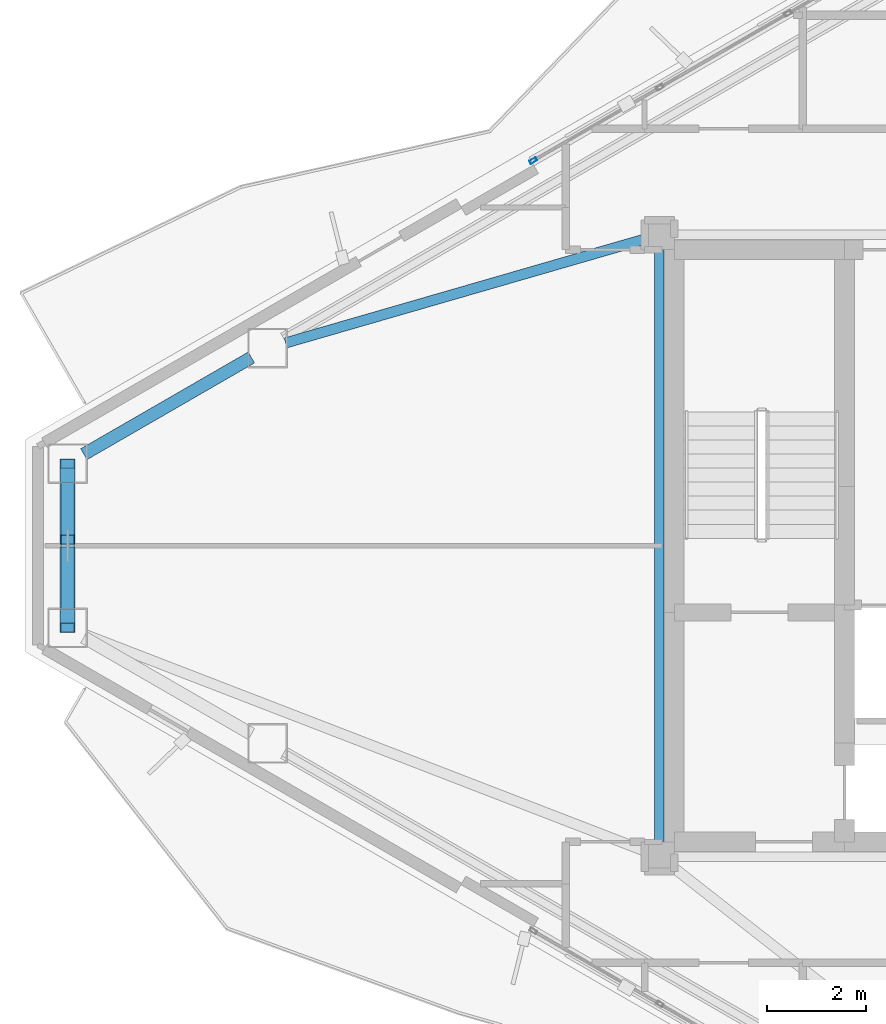
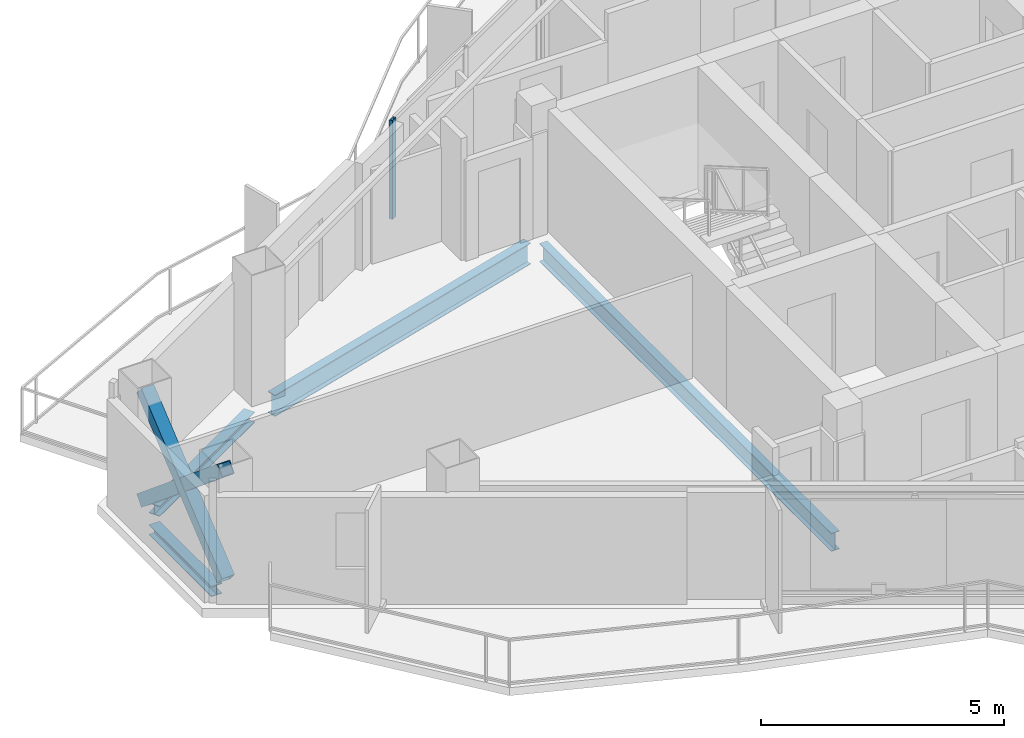
# One storey, part 7 of 22: 4 beams, 4 members, 1 element without a shape of its own.
"""IFC4 building model written with IfcOpenShell, lengths in metres."""

from ifc_helpers import new_model, si_unit, direction, frame, origin, origin_2d, place, context, subcontext, project, spatial, hollow_rectangle, i_section, extrude, material, layer, layer_set, material_profile, profile_set, type_object, element, aggregate, save


model = new_model("IFC4")

# Units and contexts
model_context = context("Model", 3, precision=1e-05, world=origin(), true_north=direction((0.0, 1.0)))
body_context = subcontext(model_context, "Body", "Model", "MODEL_VIEW")
ifc_project = project(units=[si_unit("LENGTHUNIT", "METRE"), si_unit("AREAUNIT", "SQUARE_METRE"), si_unit("VOLUMEUNIT", "CUBIC_METRE"), si_unit("PLANEANGLEUNIT", "RADIAN"), si_unit("MASSUNIT", "GRAM", prefix="KILO")], contexts=[model_context])

# Site, building, storey
site_placement = place(None, origin())
site = spatial("IfcSite", under=ifc_project, at=site_placement, CompositionType="ELEMENT")
building_placement = place(site_placement, origin())
building = spatial("IfcBuilding", under=site, at=building_placement, Name="Mersakhor Tower and Convention Hall", CompositionType="ELEMENT")
storey_placement = place(building_placement, frame((0.0, 0.0, 205.199951171875)))
storey = spatial("IfcBuildingStorey", under=building, at=storey_placement, Name="L57", CompositionType="ELEMENT", Elevation=205.199951171875)

# Beams
ifc_material_1 = material(Name="Steel S355", Category="steel")
ifc_material_profile_1 = material_profile(ifc_material_1, i_section(OverallWidth=0.19140625, OverallDepth=0.4599609375, WebThickness=0.010009765625, FlangeThickness=0.01611328125, at=origin_2d()), Name="UB 457x191x82")
ifc_profile_set_1 = profile_set([ifc_material_profile_1], Name="Steel S355")
beam_type_1 = type_object("IfcBeamType", Name="BM-FB-457", PredefinedType="BEAM", material=ifc_profile_set_1)
beam_1_placement = place(storey_placement, frame((21.89990234375, 20.72998046875, -0.4599609375), z_axis=(0.0, 1.0, 0.0), x_axis=(-1.0, 0.0, 0.0)))
element("IfcBeam", 1, at=beam_1_placement, inside=storey, type_object=beam_type_1, Name="L57 Core Ring Tie Beam CRB-1", PredefinedType="BEAM", context=body_context, shape_type="SweptSolid", body=[
    extrude(i_section(OverallWidth=0.19140625, OverallDepth=0.4599609375, WebThickness=0.010009765625, FlangeThickness=0.01611328125, at=origin_2d()), origin(), (0.0, 0.0, 1.0), 12.0400390625),
])
ifc_material_2 = material(Name="Steel S355", Category="steel")
ifc_material_profile_2 = material_profile(ifc_material_2, i_section(OverallWidth=0.2099609375, OverallDepth=0.53662109375, WebThickness=0.0107421875, FlangeThickness=0.017333984375, at=origin_2d()), Name="UB 533x210x101")
ifc_profile_set_2 = profile_set([ifc_material_profile_2], Name="Steel S355")
beam_type_2 = type_object("IfcBeamType", Name="BM-FB-533", PredefinedType="BEAM", material=ifc_profile_set_2)
beam_2_placement = place(storey_placement, frame((21.631103515625, 32.97216796875, -0.498291015625), z_axis=(-0.960673848118, -0.277679234987, 0.0), x_axis=(0.277679234987, -0.960673848118, 0.0)))
element("IfcBeam", 2, at=beam_2_placement, inside=storey, type_object=beam_type_2, Name="L57 Primary Floor Girder FG-1", PredefinedType="BEAM", context=body_context, shape_type="SweptSolid", body=[
    extrude(i_section(OverallWidth=0.2099609375, OverallDepth=0.53662109375, WebThickness=0.0107421875, FlangeThickness=0.017333984375, at=origin_2d()), origin(), (0.0, 0.0, 1.0), 7.605224609375),
])
ifc_material_3 = material(Name="Steel S355", Category="steel")
ifc_material_profile_3 = material_profile(ifc_material_3, i_section(OverallWidth=0.25634765625, OverallDepth=0.26025390625, WebThickness=0.01025390625, FlangeThickness=0.017333984375, at=origin_2d()), Name="UC 254x254x89")
ifc_profile_set_3 = profile_set([ifc_material_profile_3], Name="Steel S355")
beam_type_3 = type_object("IfcBeamType", Name="BM-SPD-UC254", PredefinedType="SPANDREL", material=ifc_profile_set_3)
beam_3_placement = place(storey_placement, frame((10.236572265625, 28.605224609375, -0.360107421875), z_axis=(0.866007153761, 0.500031608635, 0.0), x_axis=(-0.500031608635, 0.866007153761, 0.0)))
element("IfcBeam", 3, at=beam_3_placement, inside=storey, type_object=beam_type_3, Name="L57 Perimeter Spandrel Beam SPB-01", PredefinedType="SPANDREL", context=body_context, shape_type="SweptSolid", body=[
    extrude(i_section(OverallWidth=0.25634765625, OverallDepth=0.26025390625, WebThickness=0.01025390625, FlangeThickness=0.017333984375, at=origin_2d()), origin(), (0.0, 0.0, 1.0), 3.919189453125),
])
beam_4_placement = place(storey_placement, frame((9.907470703125, 25.464599609375, -0.360107421875), z_axis=(0.0, 1.0, 0.0), x_axis=(-1.0, 0.0, 0.0)))
element("IfcBeam", 4, at=beam_4_placement, inside=storey, type_object=beam_type_3, Name="L57 Perimeter Spandrel Beam SPB-12", PredefinedType="SPANDREL", context=body_context, shape_type="SweptSolid", body=[
    extrude(i_section(OverallWidth=0.25634765625, OverallDepth=0.26025390625, WebThickness=0.01025390625, FlangeThickness=0.017333984375, at=origin_2d()), origin(), (0.0, 0.0, 1.0), 2.57080078125),
])

# Curtain wall, member
ifc_material_4 = material(Name="Dark solar low-E aluminium curtain wall", Category="aluminium")
ifc_layer = layer(ifc_material_4, 0.169921875)
ifc_layer_set = layer_set([ifc_layer], Name="Dark solar low-E aluminium curtain wall")
curtain_wall_type = type_object("IfcCurtainWallType", Name="CW-SYS-02", PredefinedType="USERDEFINED", material=ifc_layer_set)
curtain_wall_placement = place(storey_placement, origin())
curtain_wall = element("IfcCurtainWall", 5, at=curtain_wall_placement, inside=storey, type_object=curtain_wall_type, Name="L57 Dark-Glass Curtain Wall F1-B2", ObjectType="CURTAIN WALL", PredefinedType="USERDEFINED")
ifc_material_5 = material(Name="Anodised aluminium EN AW-6063 T6", Category="aluminium")
ifc_material_profile_4 = material_profile(ifc_material_5, hollow_rectangle(XDim=0.074951171875, YDim=0.14990234375, WallThickness=0.00634765625, at=origin_2d()), Name="RHS 150x75x6.3")
ifc_profile_set_4 = profile_set([ifc_material_profile_4], Name="Anodised aluminium EN AW-6063 T6")
member_type_1 = type_object("IfcMemberType", Name="CWM-150x75", PredefinedType="MULLION", material=ifc_profile_set_4)
member_1_placement = place(storey_placement, frame((19.341796875, 34.554931640625, 0.199951171875), z_axis=(0.0, 0.0, 1.0), x_axis=(-0.500007824483, 0.86602088627, 0.0)))
member_1 = element("IfcMember", 6, at=member_1_placement, type_object=member_type_1, Name="CW-02 mullion 1", PredefinedType="MULLION", context=body_context, shape_type="SweptSolid", body=[
    extrude(hollow_rectangle(XDim=0.074951171875, YDim=0.14990234375, WallThickness=0.00634765625, at=origin_2d()), origin(), (0.0, 0.0, 1.0), 2.489990234375),
])
aggregate(curtain_wall, [member_1])

# Members
ifc_material_6 = material(Name="Steel S355", Category="steel")
ifc_material_profile_5 = material_profile(ifc_material_6, hollow_rectangle(XDim=0.300048828125, YDim=0.300048828125, WallThickness=0.01611328125, at=origin_2d()), Name="SHS 300x300x16")
ifc_profile_set_5 = profile_set([ifc_material_profile_5], Name="Steel S355")
member_type_2 = type_object("IfcMemberType", Name="MB-BRC-SHS300", PredefinedType="BRACE", material=ifc_profile_set_5)
member_2_placement = place(storey_placement, frame((9.907470703125, 25.084716796875, 0.150146484375), z_axis=(0.0, 0.768839937868, 0.639441279508), x_axis=(-1.0, 0.0, 0.0)))
element("IfcMember", 7, at=member_2_placement, inside=storey, type_object=member_type_2, Name="L57 Chamfer Braced Frame Diagonal CB-3A", PredefinedType="BRACE", context=body_context, shape_type="SweptSolid", body=[
    extrude(hollow_rectangle(XDim=0.300048828125, YDim=0.300048828125, WallThickness=0.01611328125, at=origin_2d()), origin(), (0.0, 0.0, 1.0), 4.33203125),
])
member_3_placement = place(storey_placement, frame((9.907470703125, 28.415283203125, 0.150146484375), z_axis=(0.0, -0.768899389676, 0.639369790149), x_axis=(1.0, 0.0, 0.0)))
element("IfcMember", 8, at=member_3_placement, inside=storey, type_object=member_type_2, Name="L57 Chamfer Braced Frame Diagonal CB-3B Lower Half", PredefinedType="BRACE", context=body_context, shape_type="SweptSolid", body=[
    extrude(hollow_rectangle(XDim=0.300048828125, YDim=0.300048828125, WallThickness=0.01611328125, at=origin_2d()), origin(), (0.0, 0.0, 1.0), 2.00537109375),
])
member_4_placement = place(storey_placement, frame((9.907470703125, 26.626708984375, 1.6376953125), z_axis=(0.0, -0.768839543052, 0.63944175422), x_axis=(1.0, 0.0, 0.0)))
element("IfcMember", 9, at=member_4_placement, inside=storey, type_object=member_type_2, Name="L57 Chamfer Braced Frame Diagonal CB-3B Upper Half", PredefinedType="BRACE", context=body_context, shape_type="SweptSolid", body=[
    extrude(hollow_rectangle(XDim=0.300048828125, YDim=0.300048828125, WallThickness=0.01611328125, at=origin_2d()), origin(), (0.0, 0.0, 1.0), 2.005615234375),
])

save(model, "model.ifc")
